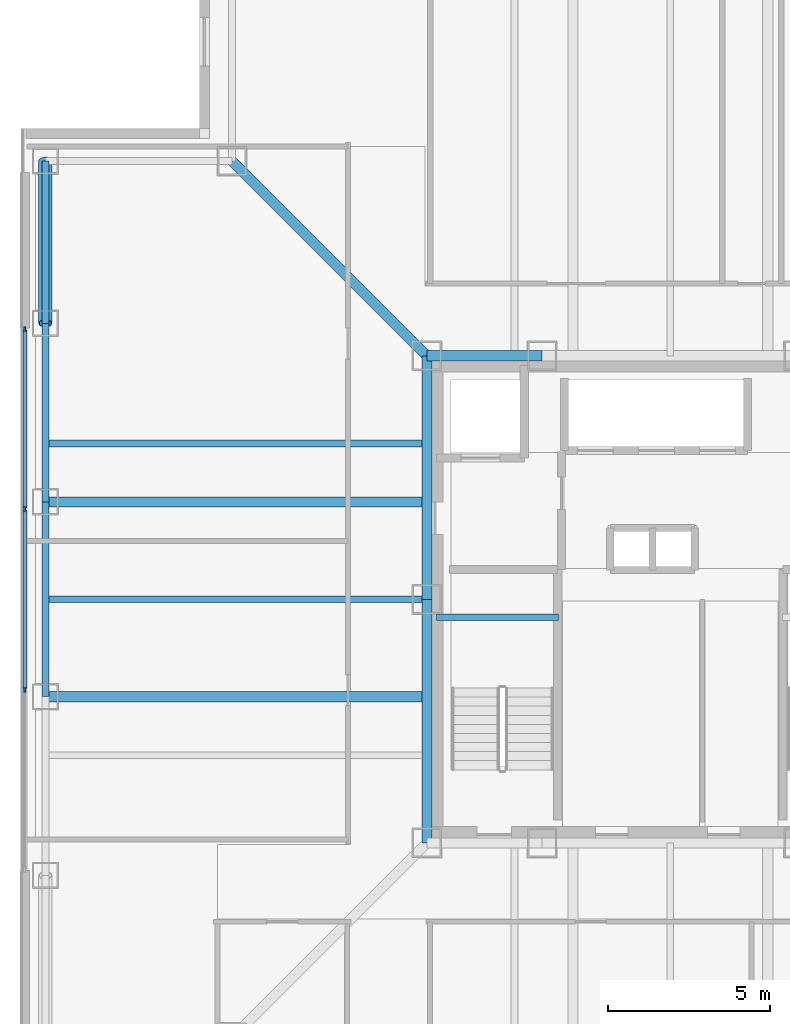
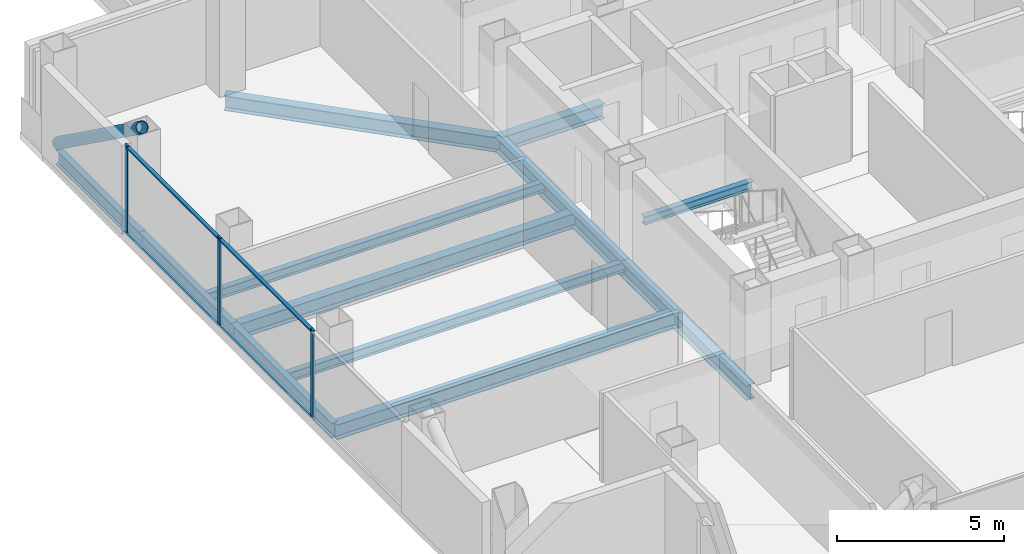
# One storey, part 4 of 16: 12 beams, 8 members, 1 element without a shape of its own.
"""IFC4 building model written with IfcOpenShell, lengths in metres."""

from ifc_helpers import new_model, si_unit, direction, frame, origin, origin_2d, place, context, subcontext, project, spatial, rectangle, hollow_circle, i_section, extrude, material, layer, layer_set, material_profile, profile_set, type_object, element, aggregate, save


model = new_model("IFC4")

# Units and contexts
model_context = context("Model", 3, precision=1e-05, world=origin(), true_north=direction((0.0, 1.0)))
body_context = subcontext(model_context, "Body", "Model", "MODEL_VIEW")
ifc_project = project(units=[si_unit("LENGTHUNIT", "METRE"), si_unit("AREAUNIT", "SQUARE_METRE"), si_unit("VOLUMEUNIT", "CUBIC_METRE"), si_unit("PLANEANGLEUNIT", "RADIAN"), si_unit("MASSUNIT", "GRAM", prefix="KILO")], contexts=[model_context])

# Site, building, storey
site_placement = place(None, origin())
site = spatial("IfcSite", under=ifc_project, at=site_placement, CompositionType="ELEMENT")
building_placement = place(site_placement, origin())
building = spatial("IfcBuilding", under=site, at=building_placement, Name="Trevonay Congress Spire", CompositionType="ELEMENT")
storey_placement = place(building_placement, frame((0.0, 0.0, 223.800048828125)))
storey = spatial("IfcBuildingStorey", under=building, at=storey_placement, Name="L58", CompositionType="ELEMENT", Elevation=223.800048828125)

# Beams
ifc_material_1 = material(Name="Steel ASTM A572 Grade 50", Category="steel")
ifc_material_profile_1 = material_profile(ifc_material_1, i_section(OverallWidth=0.31201171875, OverallDepth=0.54296875, WebThickness=0.0126953125, FlangeThickness=0.020263671875, FilletRadius=0.014892578125, at=origin_2d()), Name="W530x150")
ifc_profile_set_1 = profile_set([ifc_material_profile_1], Name="Steel ASTM A572 Grade 50")
beam_type_1 = type_object("IfcBeamType", Name="BM-GIRD-W530X150", PredefinedType="BEAM", material=ifc_profile_set_1)
beam_1_placement = place(storey_placement, frame((-7.5, 7.5, -0.511474609375), z_axis=(1.0, 0.0, 0.0), x_axis=(0.0, 1.0, 0.0)))
element("IfcBeam", 1, at=beam_1_placement, inside=storey, type_object=beam_type_1, Name="L58 structural beam BM-L58-CR-N1", PredefinedType="BEAM", context=body_context, shape_type="SweptSolid", body=[
    extrude(i_section(OverallWidth=0.31201171875, OverallDepth=0.54296875, WebThickness=0.0126953125, FlangeThickness=0.020263671875, FilletRadius=0.014892578125, at=origin_2d()), origin(), (0.0, 0.0, 1.0), 3.550048828125),
])
for number, where, z_axis, x_axis, name in (
    (2, (-7.5, -7.5, -0.511474609375), (0.0, 1.0, 0.0), (-1.0, 0.0, 0.0), "L58 structural beam BM-L58-CR-W1"),
    (3, (-7.5, 0.0, -0.511474609375), (0.0, 1.0, 0.0), (-1.0, 0.0, 0.0), "L58 structural beam BM-L58-CR-W2"),
):
    element("IfcBeam", number, at=place(storey_placement, frame(where, z_axis=z_axis, x_axis=x_axis)), inside=storey, type_object=beam_type_1, Name=name, PredefinedType="BEAM", context=body_context, shape_type="SweptSolid", body=[
        extrude(i_section(OverallWidth=0.31201171875, OverallDepth=0.54296875, WebThickness=0.0126953125, FlangeThickness=0.020263671875, FilletRadius=0.014892578125, at=origin_2d()), origin(), (0.0, 0.0, 1.0), 7.5),
    ])
beam_2_placement = place(storey_placement, frame((-7.5, 7.5, -0.511474609375), z_axis=(-0.707106781187, 0.707106781187, 0.0), x_axis=(-0.707106781187, -0.707106781187, 0.0)))
element("IfcBeam", 4, at=beam_2_placement, inside=storey, type_object=beam_type_1, Name="L58 structural beam BM-L58-CDNW", PredefinedType="BEAM", context=body_context, shape_type="SweptSolid", body=[
    extrude(i_section(OverallWidth=0.31201171875, OverallDepth=0.54296875, WebThickness=0.0126953125, FlangeThickness=0.020263671875, FilletRadius=0.014892578125, at=origin_2d()), origin(), (0.0, 0.0, 1.0), 8.4853515625),
])
for number, where, z_axis, x_axis, name in (
    (5, (-7.5, -3.0, -0.511474609375), (-1.0, 0.0, 0.0), (0.0, -1.0, 0.0), "L58 structural beam BM-L58-GW-M"),
    (6, (-7.5, 3.0, -0.511474609375), (-1.0, 0.0, 0.0), (0.0, -1.0, 0.0), "L58 structural beam BM-L58-GW-P"),
):
    element("IfcBeam", number, at=place(storey_placement, frame(where, z_axis=z_axis, x_axis=x_axis)), inside=storey, type_object=beam_type_1, Name=name, PredefinedType="BEAM", context=body_context, shape_type="SweptSolid", body=[
        extrude(i_section(OverallWidth=0.31201171875, OverallDepth=0.54296875, WebThickness=0.0126953125, FlangeThickness=0.020263671875, FilletRadius=0.014892578125, at=origin_2d()), origin(), (0.0, 0.0, 1.0), 11.75),
    ])
ifc_material_profile_2 = material_profile(ifc_material_1, i_section(OverallWidth=0.2119140625, OverallDepth=0.5439453125, WebThickness=0.01318359375, FlangeThickness=0.021240234375, FilletRadius=0.014892578125, at=origin_2d()), Name="W530x123")
ifc_profile_set_2 = profile_set([ifc_material_profile_2], Name="Steel ASTM A572 Grade 50")
beam_type_2 = type_object("IfcBeamType", Name="BM-RING-W530X123", PredefinedType="BEAM", material=ifc_profile_set_2)
beam_3_placement = place(storey_placement, frame((-19.25, -3.0, -0.511962890625), z_axis=(0.0, 1.0, 0.0), x_axis=(-1.0, 0.0, 0.0)))
element("IfcBeam", 7, at=beam_3_placement, inside=storey, type_object=beam_type_2, Name="L58 structural beam BM-L58-PW3", PredefinedType="BEAM", context=body_context, shape_type="SweptSolid", body=[
    extrude(i_section(OverallWidth=0.2119140625, OverallDepth=0.5439453125, WebThickness=0.01318359375, FlangeThickness=0.021240234375, FilletRadius=0.014892578125, at=origin_2d()), origin(), (0.0, 0.0, 1.0), 6.0),
])
beam_4_placement = place(storey_placement, frame((-19.25, 3.0, -0.511962890625), z_axis=(0.0, 1.0, 0.0), x_axis=(-1.0, 0.0, 0.0)))
element("IfcBeam", 8, at=beam_4_placement, inside=storey, type_object=beam_type_2, Name="L58 structural beam BM-L58-PW4", PredefinedType="BEAM", context=body_context, shape_type="SweptSolid", body=[
    extrude(i_section(OverallWidth=0.2119140625, OverallDepth=0.5439453125, WebThickness=0.01318359375, FlangeThickness=0.021240234375, FilletRadius=0.014892578125, at=origin_2d()), origin(), (0.0, 0.0, 1.0), 5.5),
])
beam_5_placement = place(storey_placement, frame((-19.25, 8.5, -0.511962890625), z_axis=(0.0, 1.0, 0.0), x_axis=(-1.0, 0.0, 0.0)))
element("IfcBeam", 9, at=beam_5_placement, inside=storey, type_object=beam_type_2, Name="L58 structural beam BM-L58-PW5", PredefinedType="BEAM", context=body_context, shape_type="SweptSolid", body=[
    extrude(i_section(OverallWidth=0.2119140625, OverallDepth=0.5439453125, WebThickness=0.01318359375, FlangeThickness=0.021240234375, FilletRadius=0.014892578125, at=origin_2d()), origin(), (0.0, 0.0, 1.0), 5.0),
])

# Curtain wall, members
ifc_material_2 = material(Name="Pale Anodised Aluminium EN AW-6063-T6", Category="aluminium")
ifc_layer = layer(ifc_material_2, 0.169921875, Name="Pale Anodised Aluminium EN AW-6063-T6")
ifc_layer_set = layer_set([ifc_layer], Name="Pale Anodised Aluminium EN AW-6063-T6")
curtain_wall_type = type_object("IfcCurtainWallType", Name="CW-SYS04-CORP-PALE-METAL", PredefinedType="NOTDEFINED", material=ifc_layer_set)
curtain_wall_placement = place(storey_placement, origin())
curtain_wall = element("IfcCurtainWall", 10, at=curtain_wall_placement, inside=storey, type_object=curtain_wall_type, Name="L58 W unitised curtain wall", PredefinedType="NOTDEFINED")
ifc_material_profile_3 = material_profile(ifc_material_2, rectangle(XDim=0.06005859375, YDim=0.159912109375, at=origin_2d()), Name="CW-MULLION-160-ALUMINIUM")
ifc_profile_set_3 = profile_set([ifc_material_profile_3], Name="Pale Anodised Aluminium EN AW-6063-T6")
member_type_1 = type_object("IfcMemberType", Name="CW-MULLION-160-ALUMINIUM", PredefinedType="MULLION", material=ifc_profile_set_3)
member_1_placement = place(storey_placement, frame((-19.8798828125, -2.783447265625, 0.0), z_axis=(0.0, 0.0, 1.0), x_axis=(-1.0, 0.0, 0.0)))
member_1 = element("IfcMember", 11, at=member_1_placement, type_object=member_type_1, Name="CW04 mullion 2", PredefinedType="MULLION", context=body_context, shape_type="SweptSolid", body=[
    extrude(rectangle(XDim=0.06005859375, YDim=0.159912109375, at=origin_2d()), origin(), (0.0, 0.0, 1.0), 3.25),
])
member_2_placement = place(storey_placement, frame((-19.8798828125, 2.783447265625, 0.0), z_axis=(0.0, 0.0, 1.0), x_axis=(-1.0, 0.0, 0.0)))
member_2 = element("IfcMember", 12, at=member_2_placement, type_object=member_type_1, Name="CW04 mullion 3", PredefinedType="MULLION", context=body_context, shape_type="SweptSolid", body=[
    extrude(rectangle(XDim=0.06005859375, YDim=0.159912109375, at=origin_2d()), origin(), (0.0, 0.0, 1.0), 3.25),
])
member_3_placement = place(storey_placement, frame((-19.8798828125, 8.320068359375, 0.0), z_axis=(0.0, 0.0, 1.0), x_axis=(-1.0, 0.0, 0.0)))
member_3 = element("IfcMember", 13, at=member_3_placement, type_object=member_type_1, Name="CW04 mullion 4", PredefinedType="MULLION", context=body_context, shape_type="SweptSolid", body=[
    extrude(rectangle(XDim=0.06005859375, YDim=0.159912109375, at=origin_2d()), origin(), (0.0, 0.0, 1.0), 3.25),
])
ifc_material_profile_4 = material_profile(ifc_material_2, rectangle(XDim=0.1201171875, YDim=0.06005859375, at=origin_2d()), Name="CW-TRANSOM-120-ALUMINIUM")
ifc_profile_set_4 = profile_set([ifc_material_profile_4], Name="Pale Anodised Aluminium EN AW-6063-T6")
member_type_2 = type_object("IfcMemberType", Name="CW-TRANSOM-120-ALUMINIUM", PredefinedType="USERDEFINED", material=ifc_profile_set_4)
member_4_placement = place(storey_placement, frame((-19.8798828125, -2.75341796875, 0.06005859375), z_axis=(0.0, 1.0, 0.0), x_axis=(-1.0, 0.0, 0.0)))
member_4 = element("IfcMember", 14, at=member_4_placement, type_object=member_type_2, Name="CW04 transom 2.1", ObjectType="TRANSOM", PredefinedType="USERDEFINED", context=body_context, shape_type="SweptSolid", body=[
    extrude(rectangle(XDim=0.1201171875, YDim=0.06005859375, at=origin_2d()), origin(), (0.0, 0.0, 1.0), 5.5068359375),
])
member_5_placement = place(storey_placement, frame((-19.8798828125, -2.75341796875, 3.18994140625), z_axis=(0.0, 1.0, 0.0), x_axis=(-1.0, 0.0, 0.0)))
member_5 = element("IfcMember", 15, at=member_5_placement, type_object=member_type_2, Name="CW04 transom 2.2", ObjectType="TRANSOM", PredefinedType="USERDEFINED", context=body_context, shape_type="SweptSolid", body=[
    extrude(rectangle(XDim=0.1201171875, YDim=0.06005859375, at=origin_2d()), origin(), (0.0, 0.0, 1.0), 5.5068359375),
])
member_6_placement = place(storey_placement, frame((-19.8798828125, 2.813232421875, 0.06005859375), z_axis=(0.0, 1.0, 0.0), x_axis=(-1.0, 0.0, 0.0)))
member_6 = element("IfcMember", 16, at=member_6_placement, type_object=member_type_2, Name="CW04 transom 3.1", ObjectType="TRANSOM", PredefinedType="USERDEFINED", context=body_context, shape_type="SweptSolid", body=[
    extrude(rectangle(XDim=0.1201171875, YDim=0.06005859375, at=origin_2d()), origin(), (0.0, 0.0, 1.0), 5.476806640625),
])
member_7_placement = place(storey_placement, frame((-19.8798828125, 2.813232421875, 3.18994140625), z_axis=(0.0, 1.0, 0.0), x_axis=(-1.0, 0.0, 0.0)))
member_7 = element("IfcMember", 17, at=member_7_placement, type_object=member_type_2, Name="CW04 transom 3.2", ObjectType="TRANSOM", PredefinedType="USERDEFINED", context=body_context, shape_type="SweptSolid", body=[
    extrude(rectangle(XDim=0.1201171875, YDim=0.06005859375, at=origin_2d()), origin(), (0.0, 0.0, 1.0), 5.476806640625),
])
aggregate(curtain_wall, [member_1, member_2, member_3, member_4, member_5, member_6, member_7])

# Beams
ifc_material_profile_5 = material_profile(ifc_material_1, i_section(OverallWidth=0.205078125, OverallDepth=0.35400390625, WebThickness=0.009521484375, FlangeThickness=0.016845703125, FilletRadius=0.011962890625, at=origin_2d()), Name="W360x79")
ifc_profile_set_5 = profile_set([ifc_material_profile_5], Name="Steel ASTM A572 Grade 50")
beam_type_3 = type_object("IfcBeamType", Name="JS-COMP-W360X79", PredefinedType="JOIST", material=ifc_profile_set_5)
for number, where, z_axis, x_axis, name in (
    (18, (-19.25, 0.0, -0.4169921875), (1.0, 0.0, 0.0), (0.0, 1.0, 0.0), "L58 structural beam JS-L58-EW-W2"),
    (19, (-19.25, 4.800048828125, -0.4169921875), (1.0, 0.0, 0.0), (0.0, 1.0, 0.0), "L58 structural beam JS-L58-EW-W3"),
):
    element("IfcBeam", number, at=place(storey_placement, frame(where, z_axis=z_axis, x_axis=x_axis)), inside=storey, type_object=beam_type_3, Name=name, PredefinedType="JOIST", context=body_context, shape_type="SweptSolid", body=[
        extrude(i_section(OverallWidth=0.205078125, OverallDepth=0.35400390625, WebThickness=0.009521484375, FlangeThickness=0.016845703125, FilletRadius=0.011962890625, at=origin_2d()), origin(), (0.0, 0.0, 1.0), 11.75),
    ])
ifc_material_profile_6 = material_profile(ifc_material_1, i_section(OverallWidth=0.2041015625, OverallDepth=0.305908203125, WebThickness=0.008544921875, FlangeThickness=0.0146484375, FilletRadius=0.010986328125, at=origin_2d()), Name="W310x67")
ifc_profile_set_6 = profile_set([ifc_material_profile_6], Name="Steel ASTM A572 Grade 50")
beam_type_4 = type_object("IfcBeamType", Name="LN-CORE-W310X67", PredefinedType="LINTEL", material=ifc_profile_set_6)
beam_6_placement = place(storey_placement, frame((-7.199951171875, -0.550048828125, 1.447021484375), z_axis=(1.0, 0.0, 0.0), x_axis=(0.0, 1.0, 0.0)))
element("IfcBeam", 20, at=beam_6_placement, inside=storey, type_object=beam_type_4, Name="L58 structural beam BM-L58-HL-ST1", PredefinedType="LINTEL", context=body_context, shape_type="SweptSolid", body=[
    extrude(i_section(OverallWidth=0.2041015625, OverallDepth=0.305908203125, WebThickness=0.008544921875, FlangeThickness=0.0146484375, FilletRadius=0.010986328125, at=origin_2d()), origin(), (0.0, 0.0, 1.0), 3.75),
])

# Member
ifc_material_3 = material(Name="Steel ASTM A500 Grade C", Category="steel")
ifc_material_profile_7 = material_profile(ifc_material_3, hollow_circle(Radius=0.203125, WallThickness=0.02001953125, at=origin_2d()), Name="CHS 406.4x20")
ifc_profile_set_7 = profile_set([ifc_material_profile_7], Name="Steel ASTM A500 Grade C")
member_type_3 = type_object("IfcMemberType", Name="MBR-TUBE-CHS406", PredefinedType="BRACE", material=ifc_profile_set_7)
member_8_placement = place(storey_placement, frame((-19.25, 13.5, -0.050048828125), z_axis=(0.0, -0.811526825515, 0.584315164504), x_axis=(1.0, 0.0, 0.0)))
element("IfcMember", 21, at=member_8_placement, inside=storey, type_object=member_type_3, Name="L58 perimeter braced-tube diagonal W4", PredefinedType="BRACE", context=body_context, shape_type="SweptSolid", body=[
    extrude(hollow_circle(Radius=0.203125, WallThickness=0.02001953125, at=origin_2d()), origin(), (0.0, 0.0, 1.0), 6.1611328125),
])

save(model, "model.ifc")
